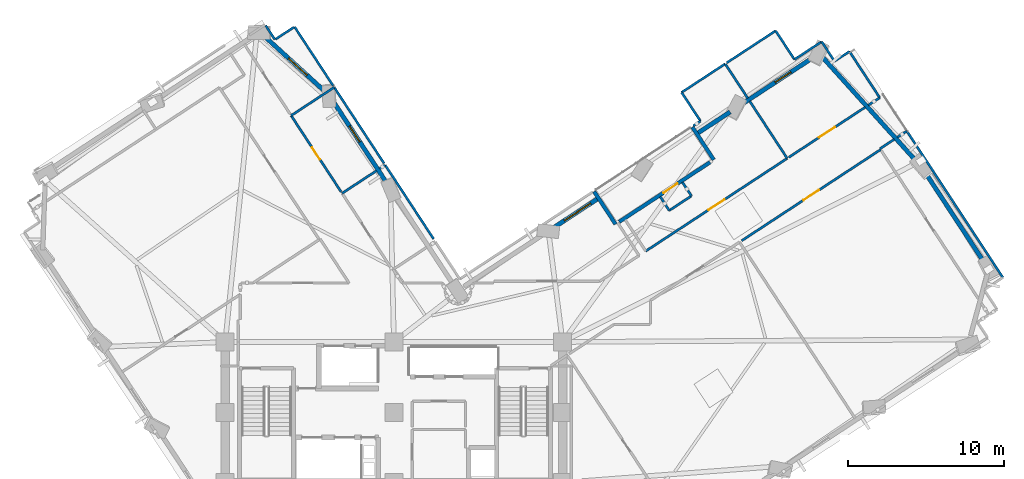
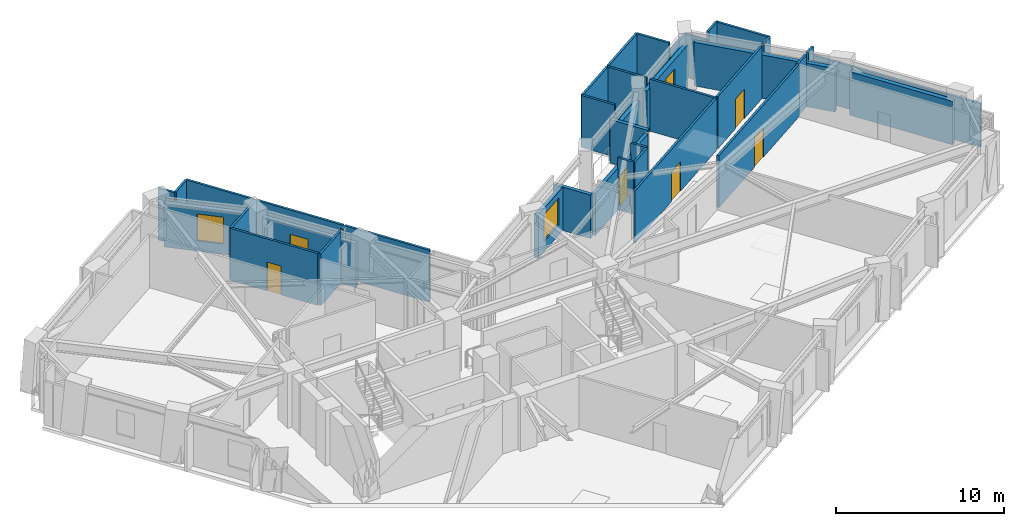
# One storey, part 8 of 14: 40 walls, 5 doors, 4 windows, 9 openings.
"""IFC4 building model written with IfcOpenShell, lengths in metres."""

from ifc_helpers import new_model, si_unit, direction, frame, frame_2d, origin, place, context, subcontext, project, spatial, rectangle, extrude, material, layer, layer_set, type_object, element, fill, save


model = new_model("IFC4")

# Units and contexts
model_context = context("Model", 3, precision=1e-05, world=origin(), true_north=direction((0.0, 1.0)))
body_context = subcontext(model_context, "Body", "Model", "MODEL_VIEW")
ifc_project = project(units=[si_unit("LENGTHUNIT", "METRE"), si_unit("AREAUNIT", "SQUARE_METRE"), si_unit("VOLUMEUNIT", "CUBIC_METRE"), si_unit("PLANEANGLEUNIT", "RADIAN"), si_unit("MASSUNIT", "GRAM", prefix="KILO")], contexts=[model_context])

# Site, building, storey
site_placement = place(None, origin())
site = spatial("IfcSite", under=ifc_project, at=site_placement, CompositionType="ELEMENT")
building_placement = place(site_placement, origin())
building = spatial("IfcBuilding", under=site, at=building_placement, Name="Gaonmaruhae Medical Tower", CompositionType="ELEMENT")
storey_placement = place(building_placement, frame((0.0, 0.0, 165.800048828125)))
storey = spatial("IfcBuildingStorey", under=building, at=storey_placement, Name="L39", CompositionType="ELEMENT", Elevation=165.800048828125)

# Wall, opening, door
ifc_material_1 = material(Name="Precast concrete C45/55", Category="concrete")
ifc_layer_1 = layer(ifc_material_1, 0.239990234375)
ifc_layer_set_1 = layer_set([ifc_layer_1], Name="Precast concrete C45/55")
wall_type_1 = type_object("IfcWallType", Name="EW-240 Ribbon & Shelter Insulated Precast Wall", PredefinedType="SOLIDWALL", material=ifc_layer_set_1)
wall_1_placement = place(storey_placement, frame((39.2255859375, 24.494384765625, 0.0), z_axis=(0.0, 0.0, 1.0), x_axis=(0.83628365525, 0.548297043547, 0.0)))
wall_1 = element("IfcWall", 1, at=wall_1_placement, inside=storey, type_object=wall_type_1, Name="L39 Recessed Terrace Enclosure Wall TERB", PredefinedType="SOLIDWALL", context=body_context, shape_type="SweptSolid", body=[
    extrude(rectangle(XDim=6.9599609375, YDim=0.239990234375, at=frame_2d((3.47998046875, 0.0))), origin(), (0.0, 0.0, 1.0), 3.044921875),
])
opening_1_placement = place(wall_1_placement, frame((3.374755859375, 0.0, 0.0)))
opening_1 = element("IfcOpeningElement", 2, at=opening_1_placement, cuts=wall_1, Name="Opening TD-01", PredefinedType="OPENING", context=body_context, shape_type="SweptSolid", body=[
    extrude(rectangle(XDim=1.10009765625, YDim=2.14990234375, at=frame_2d((0.550048828125, 1.074951171875))), frame((0.0, 0.1298828125, 0.0), z_axis=(0.0, -1.0, 0.0), x_axis=(1.0, 0.0, 0.0)), (0.0, 0.0, 1.0), 0.260009765625),
])
ifc_material_2 = material(Name="Anodised aluminium and toughened safety glass", Category="aluminium")
door_type_1 = type_object("IfcDoorType", Name="TD-01 Terrace & Sky Garden Glazed Door 1100x2150", OperationType="NOTDEFINED", PredefinedType="DOOR", material=ifc_material_2)
door_1_placement = place(opening_1_placement, origin())
door_1 = element("IfcDoor", 3, at=door_1_placement, inside=storey, type_object=door_type_1, Name="L39 Outdoor Terrace Access Door SLB-L39-TER", OperationType="SINGLE_SWING_LEFT", OverallHeight=2.14990234375, OverallWidth=1.10009765625, PredefinedType="DOOR", context=body_context, shape_type="SweptSolid", body=[
    extrude(rectangle(XDim=1.10009765625, YDim=2.14990234375, at=frame_2d((0.550048828125, 1.074951171875))), frame((0.0, 0.02490234375, 0.0), z_axis=(0.0, -1.0, 0.0), x_axis=(1.0, 0.0, 0.0)), (0.0, 0.0, 1.0), 0.050048828125),
])
fill(opening_1, door_1)

# Walls
wall_2_placement = place(storey_placement, frame((37.62060546875, 26.431640625, 0.0), z_axis=(0.0, 0.0, 1.0), x_axis=(0.548306585328, -0.836277399244, 0.0)))
element("IfcWall", 4, at=wall_2_placement, inside=storey, type_object=wall_type_1, Name="L39 Recessed Terrace Enclosure Wall TERL", PredefinedType="SOLIDWALL", context=body_context, shape_type="SweptSolid", body=[
    extrude(rectangle(XDim=2.500244140625, YDim=0.239990234375, at=frame_2d((1.25, 0.0))), origin(), (0.0, 0.0, 1.0), 3.1650390625),
])
wall_3_placement = place(storey_placement, frame((45.2802734375, 28.464111328125, 0.0), z_axis=(0.0, 0.0, 1.0), x_axis=(-0.548351364429, 0.836248038042, 0.0)))
element("IfcWall", 5, at=wall_3_placement, inside=storey, type_object=wall_type_1, Name="L39 Recessed Terrace Enclosure Wall TERR", PredefinedType="SOLIDWALL", context=body_context, shape_type="SweptSolid", body=[
    extrude(rectangle(XDim=2.5, YDim=0.239990234375, at=frame_2d((1.25, 0.0))), origin(), (0.0, 0.0, 1.0), 3.1650390625),
])
ifc_layer_2 = layer(ifc_material_1, 0.280029296875)
ifc_layer_set_2 = layer_set([ifc_layer_2], Name="Precast concrete C45/55")
wall_type_2 = type_object("IfcWallType", Name="EW-280 Upper Precast Masonry-Frame Facade Wall", PredefinedType="SOLIDWALL", material=ifc_layer_set_2)
wall_4_placement = place(storey_placement, frame((58.7646484375, 27.727294921875, 0.0), z_axis=(0.0, 0.0, 1.0), x_axis=(0.548300082182, -0.836281663006, 0.0)))
element("IfcWall", 6, at=wall_4_placement, inside=storey, type_object=wall_type_2, Name="L39 Precast Masonry-Frame Wall E01-E02", PredefinedType="SOLIDWALL", context=body_context, shape_type="SweptSolid", body=[
    extrude(rectangle(XDim=6.83984375, YDim=0.280029296875, at=frame_2d((3.419921875, 0.0))), origin(), (0.0, 0.0, 1.0), 3.1650390625),
])
wall_5_placement = place(storey_placement, frame((52.243896484375, 35.027587890625, 0.0), z_axis=(0.0, 0.0, 1.0), x_axis=(0.669657355031, -0.742670200596, 0.0)))
element("IfcWall", 7, at=wall_5_placement, inside=storey, type_object=wall_type_2, Name="L39 Precast Masonry-Frame Wall E02-E03", PredefinedType="SOLIDWALL", context=body_context, shape_type="SweptSolid", body=[
    extrude(rectangle(XDim=8.837646484375, YDim=0.280029296875, at=frame_2d((4.4189453125, 0.0))), origin(), (0.0, 0.0, 1.0), 3.1650390625),
])

# Wall, opening, window
wall_6_placement = place(storey_placement, frame((47.127685546875, 32.054931640625, 0.0), z_axis=(0.0, 0.0, 1.0), x_axis=(0.836292582583, 0.548283426995, 0.0)))
wall_6 = element("IfcWall", 8, at=wall_6_placement, inside=storey, type_object=wall_type_2, Name="L39 Precast Masonry-Frame Wall E03-EN01", PredefinedType="SOLIDWALL", context=body_context, shape_type="SweptSolid", body=[
    extrude(rectangle(XDim=5.40478515625, YDim=0.280029296875, at=frame_2d((2.702392578125, 0.0))), origin(), (0.0, 0.0, 1.0), 3.1650390625),
])
opening_2_placement = place(wall_6_placement, frame((2.491943359375, 0.0, 0.75)))
opening_2 = element("IfcOpeningElement", 9, at=opening_2_placement, cuts=wall_6, Name="Opening WN-05", PredefinedType="OPENING", context=body_context, shape_type="SweptSolid", body=[
    extrude(rectangle(XDim=1.199951171875, YDim=1.75, at=frame_2d((0.60009765625, 0.875))), frame((0.0, 0.14990234375, 0.0), z_axis=(0.0, -1.0, 0.0), x_axis=(1.0, 0.0, 0.0)), (0.0, 0.0, 1.0), 0.300048828125),
])
ifc_material_3 = material(Name="Anodised aluminium and Low-E double glazing", Category="aluminium")
window_type_1 = type_object("IfcWindowType", Name="WN-05 Support & Staff Punched Window 1200x1750", PartitioningType="SINGLE_PANEL", PredefinedType="WINDOW", material=ifc_material_3)
window_1_placement = place(opening_2_placement, origin())
window_1 = element("IfcWindow", 10, at=window_1_placement, inside=storey, type_object=window_type_1, Name="L39 Modular Facade Window E03", OverallHeight=1.75, OverallWidth=1.199951171875, PartitioningType="SINGLE_PANEL", PredefinedType="WINDOW", context=body_context, shape_type="SweptSolid", body=[
    extrude(rectangle(XDim=1.199951171875, YDim=1.75, at=frame_2d((0.60009765625, 0.875))), frame((0.0, 0.030029296875, 0.0), z_axis=(0.0, -1.0, 0.0), x_axis=(1.0, 0.0, 0.0)), (0.0, 0.0, 1.0), 0.06005859375),
])
fill(opening_2, window_1)

# Wall
wall_7_placement = place(storey_placement, frame((44.205810546875, 30.13916015625, 0.0), z_axis=(0.0, 0.0, 1.0), x_axis=(0.836311759285, 0.548254175799, 0.0)))
element("IfcWall", 11, at=wall_7_placement, inside=storey, type_object=wall_type_2, Name="L39 Precast Masonry-Frame Wall EN01-EN02", PredefinedType="SOLIDWALL", context=body_context, shape_type="SweptSolid", body=[
    extrude(rectangle(XDim=2.532470703125, YDim=0.280029296875, at=frame_2d((1.26611328125, 0.0))), origin(), (0.0, 0.0, 1.0), 3.044921875),
])

# Wall, opening, window
wall_8_placement = place(storey_placement, frame((35.09912109375, 24.16845703125, 0.0), z_axis=(0.0, 0.0, 1.0), x_axis=(0.836267517438, 0.548321656765, 0.0)))
wall_8 = element("IfcWall", 12, at=wall_8_placement, inside=storey, type_object=wall_type_2, Name="L39 Precast Masonry-Frame Wall EN02-EN03", PredefinedType="SOLIDWALL", context=body_context, shape_type="SweptSolid", body=[
    extrude(rectangle(XDim=3.32958984375, YDim=0.280029296875, at=frame_2d((1.664794921875, 0.0))), origin(), (0.0, 0.0, 1.0), 3.14501953125),
])
opening_3_placement = place(wall_8_placement, frame((0.73974609375, 0.0, 0.75)))
opening_3 = element("IfcOpeningElement", 13, at=opening_3_placement, cuts=wall_8, Name="Opening WN-02", PredefinedType="OPENING", context=body_context, shape_type="SweptSolid", body=[
    extrude(rectangle(XDim=2.0, YDim=1.949951171875, at=frame_2d((1.0, 0.97509765625))), frame((0.0, 0.14990234375, 0.0), z_axis=(0.0, -1.0, 0.0), x_axis=(1.0, 0.0, 0.0)), (0.0, 0.0, 1.0), 0.300048828125),
])
window_type_2 = type_object("IfcWindowType", Name="WN-02 Double-Bed Ward Punched Window 2000x1950", PartitioningType="SINGLE_PANEL", PredefinedType="WINDOW", material=ifc_material_3)
window_2_placement = place(opening_3_placement, origin())
window_2 = element("IfcWindow", 14, at=window_2_placement, inside=storey, type_object=window_type_2, Name="L39 Modular Facade Window EN02", OverallHeight=1.949951171875, OverallWidth=2.0, PartitioningType="SINGLE_PANEL", PredefinedType="WINDOW", context=body_context, shape_type="SweptSolid", body=[
    extrude(rectangle(XDim=2.0, YDim=1.949951171875, at=frame_2d((1.0, 0.97509765625))), frame((0.0, 0.030029296875, 0.0), z_axis=(0.0, -1.0, 0.0), x_axis=(1.0, 0.0, 0.0)), (0.0, 0.0, 1.0), 0.06005859375),
])
fill(opening_3, window_2)

wall_9_placement = place(storey_placement, frame((24.372802734375, 26.927734375, 0.0), z_axis=(0.0, 0.0, 1.0), x_axis=(-0.548310186412, 0.836275038176, 0.0)))
wall_9 = element("IfcWall", 15, at=wall_9_placement, inside=storey, type_object=wall_type_2, Name="L39 Precast Masonry-Frame Wall NE01-NE02", PredefinedType="SOLIDWALL", context=body_context, shape_type="SweptSolid", body=[
    extrude(rectangle(XDim=6.222900390625, YDim=0.280029296875, at=frame_2d((3.111328125, 0.0))), origin(), (0.0, 0.0, 1.0), 3.1650390625),
])
opening_4_placement = place(wall_9_placement, frame((3.211181640625, 0.0, 0.75)))
opening_4 = element("IfcOpeningElement", 16, at=opening_4_placement, cuts=wall_9, Name="Opening WN-05", PredefinedType="OPENING", context=body_context, shape_type="SweptSolid", body=[
    extrude(rectangle(XDim=1.199951171875, YDim=1.75, at=frame_2d((0.60009765625, 0.875))), frame((0.0, 0.14990234375, 0.0), z_axis=(0.0, -1.0, 0.0), x_axis=(1.0, 0.0, 0.0)), (0.0, 0.0, 1.0), 0.300048828125),
])
window_3_placement = place(opening_4_placement, origin())
window_3 = element("IfcWindow", 17, at=window_3_placement, inside=storey, type_object=window_type_1, Name="L39 Modular Facade Window NE01", OverallHeight=1.75, OverallWidth=1.199951171875, PartitioningType="SINGLE_PANEL", PredefinedType="WINDOW", context=body_context, shape_type="SweptSolid", body=[
    extrude(rectangle(XDim=1.199951171875, YDim=1.75, at=frame_2d((0.60009765625, 0.875))), frame((0.0, 0.030029296875, 0.0), z_axis=(0.0, -1.0, 0.0), x_axis=(1.0, 0.0, 0.0)), (0.0, 0.0, 1.0), 0.06005859375),
])
fill(opening_4, window_3)

wall_10_placement = place(storey_placement, frame((16.566650390625, 36.32080078125, 0.0), z_axis=(0.0, 0.0, 1.0), x_axis=(0.738817531131, -0.673905524308, 0.0)))
wall_10 = element("IfcWall", 18, at=wall_10_placement, inside=storey, type_object=wall_type_2, Name="L39 Precast Masonry-Frame Wall NE02-N01", PredefinedType="SOLIDWALL", context=body_context, shape_type="SweptSolid", body=[
    extrude(rectangle(XDim=5.092529296875, YDim=0.280029296875, at=frame_2d((2.54638671875, 0.0))), origin(), (0.0, 0.0, 1.0), 3.1650390625),
])
opening_5_placement = place(wall_10_placement, frame((2.02001953125, 0.0, 0.75)))
opening_5 = element("IfcOpeningElement", 19, at=opening_5_placement, cuts=wall_10, Name="Opening WN-01", PredefinedType="OPENING", context=body_context, shape_type="SweptSolid", body=[
    extrude(rectangle(XDim=1.60009765625, YDim=1.949951171875, at=frame_2d((0.800048828125, 0.97509765625))), frame((0.0, 0.14990234375, 0.0), z_axis=(0.0, -1.0, 0.0), x_axis=(1.0, 0.0, 0.0)), (0.0, 0.0, 1.0), 0.300048828125),
])
window_type_3 = type_object("IfcWindowType", Name="WN-01 Ward Punched Acoustic Window 1600x1950", PartitioningType="SINGLE_PANEL", PredefinedType="WINDOW", material=ifc_material_3)
window_4_placement = place(opening_5_placement, origin())
window_4 = element("IfcWindow", 20, at=window_4_placement, inside=storey, type_object=window_type_3, Name="L39 Modular Facade Window NE02", OverallHeight=1.949951171875, OverallWidth=1.60009765625, PartitioningType="SINGLE_PANEL", PredefinedType="WINDOW", context=body_context, shape_type="SweptSolid", body=[
    extrude(rectangle(XDim=1.60009765625, YDim=1.949951171875, at=frame_2d((0.800048828125, 0.97509765625))), frame((0.0, 0.030029296875, 0.0), z_axis=(0.0, -1.0, 0.0), x_axis=(1.0, 0.0, 0.0)), (0.0, 0.0, 1.0), 0.06005859375),
])
fill(opening_5, window_4)

# Wall, opening, door
ifc_material_4 = material(Name="Gypsum board partition", Category="gypsum")
ifc_layer_3 = layer(ifc_material_4, 0.14990234375)
ifc_layer_set_3 = layer_set([ifc_layer_3], Name="Gypsum board partition")
wall_type_3 = type_object("IfcWallType", Name="PW-150 Rated Clinical Corridor Partition", PredefinedType="PARTITIONING", material=ifc_layer_set_3)
wall_11_placement = place(storey_placement, frame((47.06103515625, 23.281982421875, 0.0), z_axis=(0.0, 0.0, 1.0), x_axis=(0.836276104337, 0.548308560315, 0.0)))
wall_11 = element("IfcWall", 21, at=wall_11_placement, inside=storey, type_object=wall_type_3, Name="L39 Interior Partition L39-SUP04-28", PredefinedType="PARTITIONING", context=body_context, shape_type="SweptSolid", body=[
    extrude(rectangle(XDim=10.639892578125, YDim=0.14990234375, at=frame_2d((5.31982421875, 0.0))), origin(), (0.0, 0.0, 1.0), 3.780029296875),
])
opening_6_placement = place(wall_11_placement, frame((4.719970703125, 0.0, 0.0)))
opening_6 = element("IfcOpeningElement", 22, at=opening_6_placement, cuts=wall_11, Name="Opening CD-02", PredefinedType="OPENING", context=body_context, shape_type="SweptSolid", body=[
    extrude(rectangle(XDim=1.199951171875, YDim=2.14990234375, at=frame_2d((0.60009765625, 1.074951171875))), frame((0.0, 0.0849609375, 0.0), z_axis=(0.0, -1.0, 0.0), x_axis=(1.0, 0.0, 0.0)), (0.0, 0.0, 1.0), 0.169921875),
])
ifc_material_5 = material(Name="Antimicrobial laminate timber fire door", Category="wood")
door_type_2 = type_object("IfcDoorType", Name="CD-02 Clinical Treatment & Procedure Door 1200x2150", OperationType="NOTDEFINED", PredefinedType="DOOR", material=ifc_material_5)
door_2_placement = place(opening_6_placement, origin())
door_2 = element("IfcDoor", 23, at=door_2_placement, inside=storey, type_object=door_type_2, Name="L39 Clinical Biomedical Charting Office Door", OperationType="SINGLE_SWING_RIGHT", OverallHeight=2.14990234375, OverallWidth=1.199951171875, PredefinedType="DOOR", context=body_context, shape_type="SweptSolid", body=[
    extrude(rectangle(XDim=1.199951171875, YDim=2.14990234375, at=frame_2d((0.60009765625, 1.074951171875))), frame((0.0, 0.02490234375, 0.0), z_axis=(0.0, -1.0, 0.0), x_axis=(1.0, 0.0, 0.0)), (0.0, 0.0, 1.0), 0.050048828125),
])
fill(opening_6, door_2)

# Walls
wall_12_placement = place(storey_placement, frame((44.423095703125, 30.93896484375, 0.0), z_axis=(0.0, 0.0, 1.0), x_axis=(-0.548178851416, 0.836361134236, 0.0)))
element("IfcWall", 24, at=wall_12_placement, inside=storey, type_object=wall_type_3, Name="L39 Interior Partition L39-IE02-69", PredefinedType="PARTITIONING", context=body_context, shape_type="SweptSolid", body=[
    extrude(rectangle(XDim=2.2001953125, YDim=0.14990234375, at=frame_2d((1.10009765625, 0.0))), origin(), (0.0, 0.0, 1.0), 3.780029296875),
])
wall_13_placement = place(storey_placement, frame((43.217041015625, 32.779052734375, 0.0), z_axis=(0.0, 0.0, 1.0), x_axis=(0.83621138517, 0.548407256801, 0.0)))
element("IfcWall", 25, at=wall_13_placement, inside=storey, type_object=wall_type_3, Name="L39 Interior Partition L39-IE02-70", PredefinedType="PARTITIONING", context=body_context, shape_type="SweptSolid", body=[
    extrude(rectangle(XDim=3.3388671875, YDim=0.14990234375, at=frame_2d((1.66943359375, 0.0))), origin(), (0.0, 0.0, 1.0), 3.780029296875),
])
wall_14_placement = place(storey_placement, frame((46.009033203125, 34.610107421875, 0.0), z_axis=(0.0, 0.0, 1.0), x_axis=(0.548292182189, -0.836286842507, 0.0)))
element("IfcWall", 26, at=wall_14_placement, inside=storey, type_object=wall_type_3, Name="L39 Interior Partition L39-IE02-71", PredefinedType="PARTITIONING", context=body_context, shape_type="SweptSolid", body=[
    extrude(rectangle(XDim=2.635498046875, YDim=0.14990234375, at=frame_2d((1.31787109375, 0.0))), origin(), (0.0, 0.0, 1.0), 3.780029296875),
])
wall_15_placement = place(storey_placement, frame((47.580078125, 32.214111328125, 0.0), z_axis=(0.0, 0.0, 1.0), x_axis=(0.548271243698, -0.836300569971, 0.0)))
element("IfcWall", 27, at=wall_15_placement, inside=storey, type_object=wall_type_3, Name="L39 Interior Partition L39-IE02-72", PredefinedType="PARTITIONING", context=body_context, shape_type="SweptSolid", body=[
    extrude(rectangle(XDim=4.37548828125, YDim=0.14990234375, at=frame_2d((2.187744140625, 0.0))), origin(), (0.0, 0.0, 1.0), 3.780029296875),
])

# Wall, opening, door
wall_16_placement = place(storey_placement, frame((49.97900390625, 28.554931640625, 0.0), z_axis=(0.0, 0.0, 1.0), x_axis=(-0.836298938049, -0.548273732927, 0.0)))
wall_16 = element("IfcWall", 28, at=wall_16_placement, inside=storey, type_object=wall_type_3, Name="L39 Interior Partition L39-IE02-73", PredefinedType="PARTITIONING", context=body_context, shape_type="SweptSolid", body=[
    extrude(rectangle(XDim=10.82861328125, YDim=0.14990234375, at=frame_2d((5.414306640625, 0.0))), origin(), (0.0, 0.0, 1.0), 3.780029296875),
])
opening_7_placement = place(wall_16_placement, frame((4.814208984375, 0.0, 0.0)))
opening_7 = element("IfcOpeningElement", 29, at=opening_7_placement, cuts=wall_16, Name="Opening CD-02", PredefinedType="OPENING", context=body_context, shape_type="SweptSolid", body=[
    extrude(rectangle(XDim=1.199951171875, YDim=2.14990234375, at=frame_2d((0.60009765625, 1.074951171875))), frame((0.0, 0.0849609375, 0.0), z_axis=(0.0, -1.0, 0.0), x_axis=(1.0, 0.0, 0.0)), (0.0, 0.0, 1.0), 0.169921875),
])
door_3_placement = place(opening_7_placement, origin())
door_3 = element("IfcDoor", 30, at=door_3_placement, inside=storey, type_object=door_type_2, Name="L39 Acute Treatment Examination Room Door", OperationType="SINGLE_SWING_LEFT", OverallHeight=2.14990234375, OverallWidth=1.199951171875, PredefinedType="DOOR", context=body_context, shape_type="SweptSolid", body=[
    extrude(rectangle(XDim=1.199951171875, YDim=2.14990234375, at=frame_2d((0.60009765625, 1.074951171875))), frame((0.0, 0.02490234375, 0.0), z_axis=(0.0, -1.0, 0.0), x_axis=(1.0, 0.0, 0.0)), (0.0, 0.0, 1.0), 0.050048828125),
])
fill(opening_7, door_3)

# Walls
wall_17_placement = place(storey_placement, frame((41.84912109375, 26.10107421875, 0.0), z_axis=(0.0, 0.0, 1.0), x_axis=(0.548003914247, -0.836475767712, 0.0)))
element("IfcWall", 31, at=wall_17_placement, inside=storey, type_object=wall_type_3, Name="L39 Interior Partition L39-IE02-75", PredefinedType="PARTITIONING", context=body_context, shape_type="SweptSolid", body=[
    extrude(rectangle(XDim=1.054443359375, YDim=0.14990234375, at=frame_2d((0.52734375, 0.0))), origin(), (0.0, 0.0, 1.0), 3.780029296875),
])
wall_18_placement = place(storey_placement, frame((42.427001953125, 25.218994140625, 0.0), z_axis=(0.0, 0.0, 1.0), x_axis=(0.836420271781, 0.548088614144, 0.0)))
element("IfcWall", 32, at=wall_18_placement, inside=storey, type_object=wall_type_3, Name="L39 Interior Partition L39-IE02-76", PredefinedType="PARTITIONING", context=body_context, shape_type="SweptSolid", body=[
    extrude(rectangle(XDim=1.7001953125, YDim=0.14990234375, at=frame_2d((0.85009765625, 0.0))), origin(), (0.0, 0.0, 1.0), 3.780029296875),
])
wall_19_placement = place(storey_placement, frame((43.84912109375, 26.15087890625, 0.0), z_axis=(0.0, 0.0, 1.0), x_axis=(-0.548165874885, 0.836369639341, 0.0)))
element("IfcWall", 33, at=wall_19_placement, inside=storey, type_object=wall_type_3, Name="L39 Interior Partition L39-IE02-77", PredefinedType="PARTITIONING", context=body_context, shape_type="SweptSolid", body=[
    extrude(rectangle(XDim=1.0546875, YDim=0.14990234375, at=frame_2d((0.52734375, 0.0))), origin(), (0.0, 0.0, 1.0), 3.780029296875),
])
wall_20_placement = place(storey_placement, frame((43.9599609375, 30.635009765625, 0.0), z_axis=(0.0, 0.0, 1.0), x_axis=(0.836028958257, 0.548685320522, 0.0)))
element("IfcWall", 34, at=wall_20_placement, inside=storey, type_object=wall_type_3, Name="L39 Interior Partition L39-IE02-78", PredefinedType="PARTITIONING", context=body_context, shape_type="SweptSolid", body=[
    extrude(rectangle(XDim=0.553955078125, YDim=0.14990234375, at=frame_2d((0.27685546875, 0.0))), origin(), (0.0, 0.0, 1.0), 3.14501953125),
])
wall_21_placement = place(storey_placement, frame((50.444091796875, 34.886962890625, 0.0), z_axis=(0.0, 0.0, 1.0), x_axis=(0.83628137168, 0.54830052652, 0.0)))
element("IfcWall", 35, at=wall_21_placement, inside=storey, type_object=wall_type_3, Name="L39 Interior Partition L39-IE03-79", PredefinedType="PARTITIONING", context=body_context, shape_type="SweptSolid", body=[
    extrude(rectangle(XDim=2.0830078125, YDim=0.14990234375, at=frame_2d((1.04150390625, 0.0))), origin(), (0.0, 0.0, 1.0), 3.1650390625),
])
wall_22_placement = place(storey_placement, frame((52.18603515625, 36.029052734375, 0.0), z_axis=(0.0, 0.0, 1.0), x_axis=(0.548183369376, -0.836358172998, 0.0)))
element("IfcWall", 36, at=wall_22_placement, inside=storey, type_object=wall_type_3, Name="L39 Interior Partition L39-IE03-80", PredefinedType="PARTITIONING", context=body_context, shape_type="SweptSolid", body=[
    extrude(rectangle(XDim=1.49951171875, YDim=0.14990234375, at=frame_2d((0.749755859375, 0.0))), origin(), (0.0, 0.0, 1.0), 3.1650390625),
])
wall_23_placement = place(storey_placement, frame((53.008056640625, 34.77490234375, 0.0), z_axis=(0.0, 0.0, 1.0), x_axis=(0.836437440317, 0.548062412903, 0.0)))
element("IfcWall", 37, at=wall_23_placement, inside=storey, type_object=wall_type_3, Name="L39 Interior Partition L39-IE03-81", PredefinedType="PARTITIONING", context=body_context, shape_type="SweptSolid", body=[
    extrude(rectangle(XDim=1.140380859375, YDim=0.14990234375, at=frame_2d((0.5703125, 0.0))), origin(), (0.0, 0.0, 1.0), 3.780029296875),
])
wall_24_placement = place(storey_placement, frame((53.9619140625, 35.39990234375, 0.0), z_axis=(0.0, 0.0, 1.0), x_axis=(0.54827079321, -0.836300865307, 0.0)))
element("IfcWall", 38, at=wall_24_placement, inside=storey, type_object=wall_type_3, Name="L39 Interior Partition L39-IE03-82", PredefinedType="PARTITIONING", context=body_context, shape_type="SweptSolid", body=[
    extrude(rectangle(XDim=3.54052734375, YDim=0.14990234375, at=frame_2d((1.770263671875, 0.0))), origin(), (0.0, 0.0, 1.0), 3.780029296875),
])
wall_25_placement = place(storey_placement, frame((55.903076171875, 32.43896484375, 0.0), z_axis=(0.0, 0.0, 1.0), x_axis=(-0.836298649648, -0.548274172834, 0.0)))
element("IfcWall", 39, at=wall_25_placement, inside=storey, type_object=wall_type_3, Name="L39 Interior Partition L39-IE03-83", PredefinedType="PARTITIONING", context=body_context, shape_type="SweptSolid", body=[
    extrude(rectangle(XDim=0.87890625, YDim=0.14990234375, at=frame_2d((0.439453125, 0.0))), origin(), (0.0, 0.0, 1.0), 3.780029296875),
])

# Wall, opening, door
wall_26_placement = place(storey_placement, frame((54.972900390625, 31.8291015625, 0.0), z_axis=(0.0, 0.0, 1.0), x_axis=(-0.836325905436, -0.548232596529, 0.0)))
wall_26 = element("IfcWall", 40, at=wall_26_placement, inside=storey, type_object=wall_type_3, Name="L39 Interior Partition L39-IE03-84", PredefinedType="PARTITIONING", context=body_context, shape_type="SweptSolid", body=[
    extrude(rectangle(XDim=5.8515625, YDim=0.14990234375, at=frame_2d((2.92578125, 0.0))), origin(), (0.0, 0.0, 1.0), 3.780029296875),
])
opening_8_placement = place(wall_26_placement, frame((2.325927734375, 0.0, 0.0)))
opening_8 = element("IfcOpeningElement", 41, at=opening_8_placement, cuts=wall_26, Name="Opening CD-02", PredefinedType="OPENING", context=body_context, shape_type="SweptSolid", body=[
    extrude(rectangle(XDim=1.199951171875, YDim=2.14990234375, at=frame_2d((0.60009765625, 1.074951171875))), frame((0.0, 0.0849609375, 0.0), z_axis=(0.0, -1.0, 0.0), x_axis=(1.0, 0.0, 0.0)), (0.0, 0.0, 1.0), 0.169921875),
])
door_4_placement = place(opening_8_placement, origin())
door_4 = element("IfcDoor", 42, at=door_4_placement, inside=storey, type_object=door_type_2, Name="L39 Clean Medication Preparation Room Door", OperationType="SINGLE_SWING_LEFT", OverallHeight=2.14990234375, OverallWidth=1.199951171875, PredefinedType="DOOR", context=body_context, shape_type="SweptSolid", body=[
    extrude(rectangle(XDim=1.199951171875, YDim=2.14990234375, at=frame_2d((0.60009765625, 1.074951171875))), frame((0.0, 0.02490234375, 0.0), z_axis=(0.0, -1.0, 0.0), x_axis=(1.0, 0.0, 0.0)), (0.0, 0.0, 1.0), 0.050048828125),
])
fill(opening_8, door_4)

# Walls
wall_27_placement = place(storey_placement, frame((46.10888671875, 34.676025390625, 0.0), z_axis=(0.0, 0.0, 1.0), x_axis=(0.836351778338, 0.548193125522, 0.0)))
element("IfcWall", 43, at=wall_27_placement, inside=storey, type_object=wall_type_3, Name="L39 Interior Partition L39-IE03-85", PredefinedType="PARTITIONING", context=body_context, shape_type="SweptSolid", body=[
    extrude(rectangle(XDim=3.741455078125, YDim=0.14990234375, at=frame_2d((1.87060546875, 0.0))), origin(), (0.0, 0.0, 1.0), 3.780029296875),
])
wall_28_placement = place(storey_placement, frame((49.238037109375, 36.72705078125, 0.0), z_axis=(0.0, 0.0, 1.0), x_axis=(0.548178851416, -0.836361134236, 0.0)))
element("IfcWall", 44, at=wall_28_placement, inside=storey, type_object=wall_type_3, Name="L39 Interior Partition L39-IE03-86", PredefinedType="PARTITIONING", context=body_context, shape_type="SweptSolid", body=[
    extrude(rectangle(XDim=2.2001953125, YDim=0.14990234375, at=frame_2d((1.10009765625, 0.0))), origin(), (0.0, 0.0, 1.0), 3.780029296875),
])
wall_29_placement = place(storey_placement, frame((21.48291015625, 26.320068359375, 0.0), z_axis=(0.0, 0.0, 1.0), x_axis=(0.836499207519, 0.547968133946, 0.0)))
element("IfcWall", 45, at=wall_29_placement, inside=storey, type_object=wall_type_3, Name="L39 Interior Partition L39-IN01-88", PredefinedType="PARTITIONING", context=body_context, shape_type="SweptSolid", body=[
    extrude(rectangle(XDim=2.635009765625, YDim=0.14990234375, at=frame_2d((1.3173828125, 0.0))), origin(), (0.0, 0.0, 1.0), 3.780029296875),
])
wall_30_placement = place(storey_placement, frame((23.87890625, 27.889892578125, 0.0), z_axis=(0.0, 0.0, 1.0), x_axis=(0.835911265281, 0.548864606781, 0.0)))
element("IfcWall", 46, at=wall_30_placement, inside=storey, type_object=wall_type_3, Name="L39 Interior Partition L39-IN01-89", PredefinedType="PARTITIONING", context=body_context, shape_type="SweptSolid", body=[
    extrude(rectangle(XDim=0.435546875, YDim=0.14990234375, at=frame_2d((0.2177734375, 0.0))), origin(), (0.0, 0.0, 1.0), 3.780029296875),
])
wall_31_placement = place(storey_placement, frame((24.242919921875, 28.12890625, 0.0), z_axis=(0.0, 0.0, 1.0), x_axis=(0.548247074475, -0.8363164146, 0.0)))
element("IfcWall", 47, at=wall_31_placement, inside=storey, type_object=wall_type_3, Name="L39 Interior Partition L39-IN01-90", PredefinedType="PARTITIONING", context=body_context, shape_type="SweptSolid", body=[
    extrude(rectangle(XDim=5.654541015625, YDim=0.14990234375, at=frame_2d((2.8271484375, 0.0))), origin(), (0.0, 0.0, 1.0), 3.780029296875),
])

# Wall, opening, door
wall_32_placement = place(storey_placement, frame((21.4169921875, 26.419921875, 0.0), z_axis=(0.0, 0.0, 1.0), x_axis=(-0.548316159606, 0.836271121775, 0.0)))
wall_32 = element("IfcWall", 48, at=wall_32_placement, inside=storey, type_object=wall_type_3, Name="L39 Interior Partition L39-IN02-91", PredefinedType="PARTITIONING", context=body_context, shape_type="SweptSolid", body=[
    extrude(rectangle(XDim=5.83056640625, YDim=0.14990234375, at=frame_2d((2.915283203125, 0.0))), origin(), (0.0, 0.0, 1.0), 3.780029296875),
])
opening_9_placement = place(wall_32_placement, frame((2.455322265625, 0.0, 0.0)))
opening_9 = element("IfcOpeningElement", 49, at=opening_9_placement, cuts=wall_32, Name="Opening UD-01", PredefinedType="OPENING", context=body_context, shape_type="SweptSolid", body=[
    extrude(rectangle(XDim=0.919921875, YDim=2.10009765625, at=frame_2d((0.4599609375, 1.050048828125))), frame((0.0, 0.0849609375, 0.0), z_axis=(0.0, -1.0, 0.0), x_axis=(1.0, 0.0, 0.0)), (0.0, 0.0, 1.0), 0.169921875),
])
ifc_material_6 = material(Name="Powder-coated steel utility door", Category="steel")
door_type_3 = type_object("IfcDoorType", Name="UD-01 Toilet, Utility & Housekeeping Door 920x2100", OperationType="NOTDEFINED", PredefinedType="DOOR", material=ifc_material_6)
door_5_placement = place(opening_9_placement, origin())
door_5 = element("IfcDoor", 50, at=door_5_placement, inside=storey, type_object=door_type_3, Name="L39 Ward Nutrition Pantry Door", OperationType="SINGLE_SWING_LEFT", OverallHeight=2.10009765625, OverallWidth=0.919921875, PredefinedType="DOOR", context=body_context, shape_type="SweptSolid", body=[
    extrude(rectangle(XDim=0.919921875, YDim=2.10009765625, at=frame_2d((0.4599609375, 1.050048828125))), frame((0.0, 0.02490234375, 0.0), z_axis=(0.0, -1.0, 0.0), x_axis=(1.0, 0.0, 0.0)), (0.0, 0.0, 1.0), 0.050048828125),
])
fill(opening_9, door_5)

# Walls
wall_33_placement = place(storey_placement, frame((18.219970703125, 31.2958984375, 0.0), z_axis=(0.0, 0.0, 1.0), x_axis=(0.836350018485, 0.548195810436, 0.0)))
element("IfcWall", 51, at=wall_33_placement, inside=storey, type_object=wall_type_3, Name="L39 Interior Partition L39-IN02-92", PredefinedType="PARTITIONING", context=body_context, shape_type="SweptSolid", body=[
    extrude(rectangle(XDim=3.300048828125, YDim=0.14990234375, at=frame_2d((1.64990234375, 0.0))), origin(), (0.0, 0.0, 1.0), 3.780029296875),
])
wall_34_placement = place(storey_placement, frame((20.97998046875, 33.10498046875, 0.0), z_axis=(0.0, 0.0, 1.0), x_axis=(0.548392968486, -0.836220755611, 0.0)))
element("IfcWall", 52, at=wall_34_placement, inside=storey, type_object=wall_type_3, Name="L39 Interior Partition L39-IN02-93", PredefinedType="PARTITIONING", context=body_context, shape_type="SweptSolid", body=[
    extrude(rectangle(XDim=5.829833984375, YDim=0.14990234375, at=frame_2d((2.9150390625, 0.0))), origin(), (0.0, 0.0, 1.0), 3.780029296875),
])
wall_35_placement = place(storey_placement, frame((18.43896484375, 36.98193359375, 0.0), z_axis=(0.0, 0.0, 1.0), x_axis=(0.548219331608, -0.836334600774, 0.0)))
element("IfcWall", 53, at=wall_35_placement, inside=storey, type_object=wall_type_3, Name="L39 Interior Partition L39-IN03-94", PredefinedType="PARTITIONING", context=body_context, shape_type="SweptSolid", body=[
    extrude(rectangle(XDim=4.514892578125, YDim=0.14990234375, at=frame_2d((2.25732421875, 0.0))), origin(), (0.0, 0.0, 1.0), 3.780029296875),
])
wall_36_placement = place(storey_placement, frame((16.5859375, 37.070068359375, 0.0), z_axis=(0.0, 0.0, 1.0), x_axis=(0.548793431799, -0.835957994887, 0.0)))
element("IfcWall", 54, at=wall_36_placement, inside=storey, type_object=wall_type_3, Name="L39 Interior Partition L39-IN03-97", PredefinedType="PARTITIONING", context=body_context, shape_type="SweptSolid", body=[
    extrude(rectangle(XDim=1.08984375, YDim=0.14990234375, at=frame_2d((0.544921875, 0.0))), origin(), (0.0, 0.0, 1.0), 3.780029296875),
])
wall_37_placement = place(storey_placement, frame((17.22607421875, 36.18603515625, 0.0), z_axis=(0.0, 0.0, 1.0), x_axis=(0.83583800214, 0.548976169045, 0.0)))
element("IfcWall", 55, at=wall_37_placement, inside=storey, type_object=wall_type_3, Name="L39 Interior Partition L39-IN03-98", PredefinedType="PARTITIONING", context=body_context, shape_type="SweptSolid", body=[
    extrude(rectangle(XDim=1.40087890625, YDim=0.14990234375, at=frame_2d((0.700439453125, 0.0))), origin(), (0.0, 0.0, 1.0), 3.780029296875),
])
wall_38_placement = place(storey_placement, frame((57.638916015625, 30.301025390625, 0.0), z_axis=(0.0, 0.0, 1.0), x_axis=(0.548311811245, -0.83627397284, 0.0)))
element("IfcWall", 56, at=wall_38_placement, inside=storey, type_object=wall_type_3, Name="L39 Interior Partition L39-RM03-105", PredefinedType="PARTITIONING", context=body_context, shape_type="SweptSolid", body=[
    extrude(rectangle(XDim=11.219970703125, YDim=0.14990234375, at=frame_2d((5.60986328125, 0.0))), origin(), (0.0, 0.0, 1.0), 3.1650390625),
])
wall_39_placement = place(storey_placement, frame((55.9208984375, 29.175048828125, 0.0), z_axis=(0.0, 0.0, 1.0), x_axis=(0.836486009436, 0.547988280913, 0.0)))
element("IfcWall", 57, at=wall_39_placement, inside=storey, type_object=wall_type_3, Name="L39 Interior Partition L39-RM03-109", PredefinedType="PARTITIONING", context=body_context, shape_type="SweptSolid", body=[
    extrude(rectangle(XDim=1.085693359375, YDim=0.14990234375, at=frame_2d((0.54296875, 0.0))), origin(), (0.0, 0.0, 1.0), 3.780029296875),
])
wall_40_placement = place(storey_placement, frame((57.02392578125, 29.89794921875, 0.0), z_axis=(0.0, 0.0, 1.0), x_axis=(0.836366647965, 0.54817043898, 0.0)))
element("IfcWall", 58, at=wall_40_placement, inside=storey, type_object=wall_type_3, Name="L39 Interior Partition L39-RM03-110", PredefinedType="PARTITIONING", context=body_context, shape_type="SweptSolid", body=[
    extrude(rectangle(XDim=0.7353515625, YDim=0.14990234375, at=frame_2d((0.36767578125, 0.0))), origin(), (0.0, 0.0, 1.0), 3.780029296875),
])

save(model, "model.ifc")
